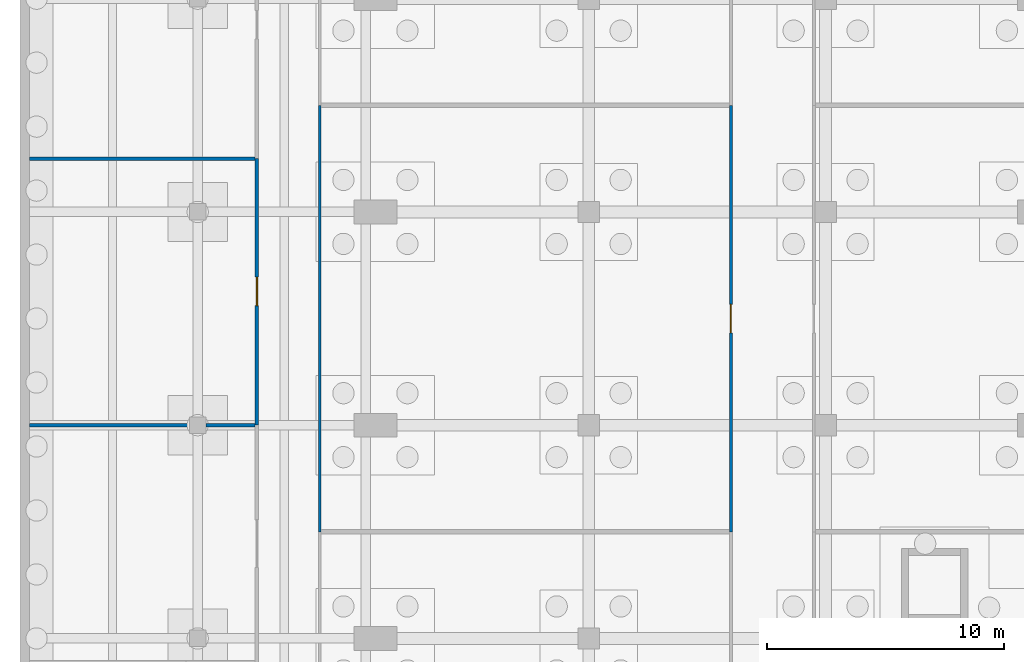
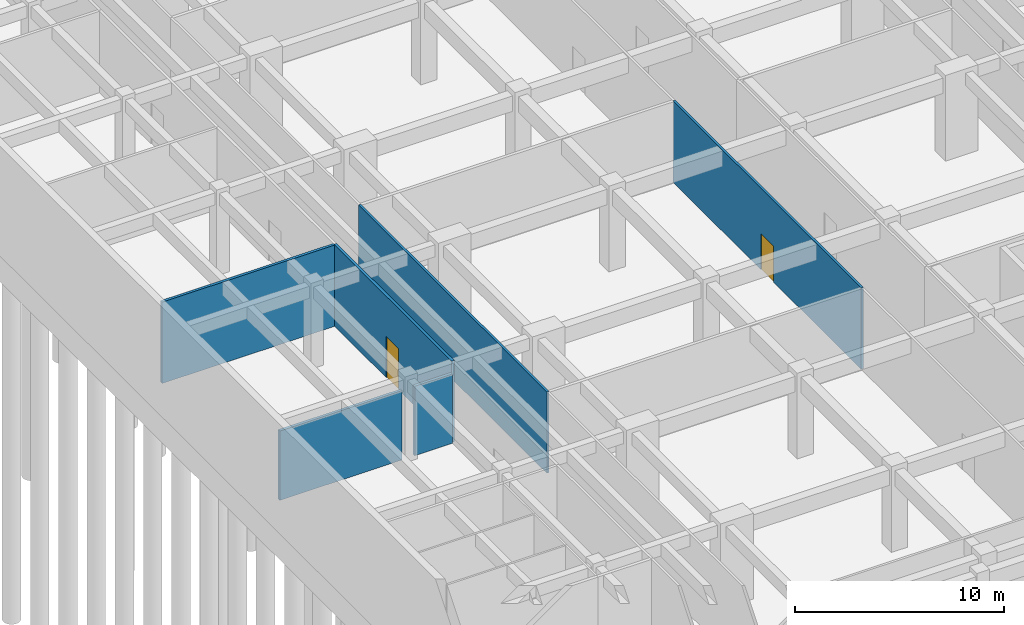
# One storey, part 10 of 19: 6 walls, 2 doors, 2 openings.
"""IFC4 building model written with IfcOpenShell, lengths in metres."""

import ifcopenshell
import ifcopenshell.guid

model = None  # the IFC model being written
_history = None  # IfcOwnerHistory: only IFC2X3 demands one
_inside = {}  # id of a spatial element -> (the spatial element, [elements in it])
_under = {}  # id of a project, library or spatial element -> (it, [spatial elements below it])
_declared = {}  # id of a project -> (the project, [libraries it declares])
_typed = {}  # id of a type object -> (the type object, [elements of that type])
_made_of = {}  # id of a material, layer set ... -> (it, [elements and type objects made of it])


def new_model(schema):
    """Start an empty IFC model of exactly this schema.

    Asked for "IFC4X3", IfcOpenShell would pick the latest addendum, in which some entities
    have other attributes; the version numbers below select the first issue.
    IFC2X3 requires an IfcOwnerHistory on every rooted entity: one is made here for all.
    """
    global model, _history
    if schema == "IFC4X3":
        model = ifcopenshell.file(schema_version=(4, 3, 0, 0))
    else:
        model = ifcopenshell.file(schema=schema)
    _inside.clear()
    _under.clear()
    _declared.clear()
    _typed.clear()
    _made_of.clear()
    _history = None
    if model.schema == "IFC2X3":
        org = make("IfcOrganization", Name="unknown")
        user = make(
            "IfcPersonAndOrganization",
            ThePerson=make("IfcPerson", FamilyName="unknown"),
            TheOrganization=org,
        )
        app = make(
            "IfcApplication",
            ApplicationDeveloper=org,
            Version="unknown",
            ApplicationFullName="unknown",
            ApplicationIdentifier="unknown",
        )
        _history = make(
            "IfcOwnerHistory",
            OwningUser=user,
            OwningApplication=app,
            ChangeAction="ADDED",
            CreationDate=0,
        )
    return model


def make(cls, **values):
    """One entity of the class cls with the attributes given. An attribute that is None is left unset."""
    return model.create_entity(
        cls, **{name: value for name, value in values.items() if value is not None}
    )


def rooted(cls, **values):
    """An entity with a GlobalId (a new one), such as an element, a storey or a relation."""
    return make(cls, GlobalId=ifcopenshell.guid.new(), OwnerHistory=_history, **values)


def si_unit(unit_type, name, prefix=None):
    """IfcSIUnit, for example si_unit("LENGTHUNIT", "METRE", prefix="MILLI")."""
    return make("IfcSIUnit", UnitType=unit_type, Prefix=prefix, Name=name)


def assignment(units):
    """IfcUnitAssignment: the units of a project."""
    return None if units is None else make("IfcUnitAssignment", Units=units)


def point(xyz):
    """IfcCartesianPoint."""
    return None if xyz is None else make("IfcCartesianPoint", Coordinates=xyz)


def direction(xyz):
    """IfcDirection."""
    return None if xyz is None else make("IfcDirection", DirectionRatios=xyz)


def frame(location, z_axis=None, x_axis=None):
    """IfcAxis2Placement3D, a coordinate frame: its origin and axes. An axis left out is left unset."""
    return make(
        "IfcAxis2Placement3D",
        Location=point(location),
        Axis=direction(z_axis),
        RefDirection=direction(x_axis),
    )


def frame_2d(location, x_axis=None):
    """IfcAxis2Placement2D, a coordinate frame in the plane: its origin and x axis."""
    return make(
        "IfcAxis2Placement2D", Location=point(location), RefDirection=direction(x_axis)
    )


def origin():
    """The frame at (0, 0, 0) with its axes left unset."""
    return frame((0.0, 0.0, 0.0))


def place(relative_to, where):
    """IfcLocalPlacement: puts the frame where relative to a parent placement (None: the world)."""
    return make(
        "IfcLocalPlacement", PlacementRelTo=relative_to, RelativePlacement=where
    )


def context(
    kind, dimensions, precision=None, world=None, true_north=None, identifier=None
):
    """IfcGeometricRepresentationContext, for example the 3D "Model" context."""
    return make(
        "IfcGeometricRepresentationContext",
        ContextIdentifier=identifier,
        ContextType=kind,
        CoordinateSpaceDimension=dimensions,
        Precision=precision,
        WorldCoordinateSystem=world,
        TrueNorth=true_north,
    )


def subcontext(parent, identifier, kind, view, scale=None):
    """IfcGeometricRepresentationSubContext, for example "Body" below "Model"."""
    return make(
        "IfcGeometricRepresentationSubContext",
        ContextIdentifier=identifier,
        ContextType=kind,
        ParentContext=parent,
        TargetScale=scale,
        TargetView=view,
    )


def project(units=None, contexts=None):
    """IfcProject with its units and contexts."""
    return rooted(
        "IfcProject",
        Name="project",
        RepresentationContexts=contexts,
        UnitsInContext=assignment(units),
    )


def spatial(cls, under=None, at=None, **own):
    """A site, building, storey or space (cls), placed at a placement, below another one or the project."""
    s = rooted(cls, ObjectPlacement=at, **own)
    if under is not None:
        _under.setdefault(under.id(), (under, []))[1].append(s)
    return s


def profile(cls, at=None, kind="AREA", **sizes):
    """A parametric profile (cls). Its sizes go by their IFC names, for example OverallWidth=200.0."""
    return make(cls, ProfileType=kind, Position=at, **sizes)


def rectangle(**sizes):
    """IfcRectangleProfileDef."""
    return profile("IfcRectangleProfileDef", **sizes)


def extrude(swept, where, along, depth):
    """IfcExtrudedAreaSolid: the profile swept, set in the frame where, extruded along a direction by depth."""
    return make(
        "IfcExtrudedAreaSolid",
        SweptArea=swept,
        Position=where,
        ExtrudedDirection=direction(along),
        Depth=depth,
    )


def shape(context_of_items, identifier, shape_type, items):
    """IfcShapeRepresentation: the items that make up one representation, for example the "Body"."""
    return make(
        "IfcShapeRepresentation",
        ContextOfItems=context_of_items,
        RepresentationIdentifier=identifier,
        RepresentationType=shape_type,
        Items=items,
    )


def material(Name=None, Category=None):
    """IfcMaterial."""
    return make("IfcMaterial", Name=Name, Category=Category)


def layer(
    of_material, thickness, ventilated=None, Name=None, Category=None, Priority=None
):
    """IfcMaterialLayer: one layer of a wall or slab, of a material (None: an air gap)."""
    return make(
        "IfcMaterialLayer",
        Material=of_material,
        LayerThickness=thickness,
        IsVentilated=ventilated,
        Name=Name,
        Category=Category,
        Priority=Priority,
    )


def layer_set(layers, Name=None):
    """IfcMaterialLayerSet."""
    return make("IfcMaterialLayerSet", MaterialLayers=layers, LayerSetName=Name)


def made_of(thing, what):
    """Note that an element or type object is made of a material, layer set ...; save() writes the relation."""
    if what is not None:
        _made_of.setdefault(what.id(), (what, []))[1].append(thing)
    return thing


def type_object(cls, material=None, **own):
    """A type object (cls), such as IfcWallType, which elements share."""
    return made_of(rooted(cls, **own), material)


def element(
    cls,
    number,
    at=None,
    inside=None,
    cuts=None,
    type_object=None,
    material=None,
    context=None,
    identifier="Body",
    shape_type=None,
    held_by="IfcProductDefinitionShape",
    body=None,
    shapes=None,
    **own,
):
    """One element of the class cls, such as IfcWall. Its Tag is "e" and its number.

    at: its placement. inside: the storey or other place that contains it. cuts: it is an
    opening in that element (IfcRelVoidsElement). A single representation is given by context,
    identifier, shape_type and body (its items); several are given by shapes. held_by: the class
    of the entity that holds the representations. save() writes the other relations.
    """
    e = rooted(cls, Tag="e%d" % number, ObjectPlacement=at, **own)
    if body is not None:
        shapes = [shape(context, identifier, shape_type, body)]
    if shapes is not None:
        e.Representation = make(held_by, Representations=shapes)
    if inside is not None:
        _inside.setdefault(inside.id(), (inside, []))[1].append(e)
    if cuts is not None:
        rooted(
            "IfcRelVoidsElement", RelatingBuildingElement=cuts, RelatedOpeningElement=e
        )
    if type_object is not None:
        _typed.setdefault(type_object.id(), (type_object, []))[1].append(e)
    return made_of(e, material)


def fill(opening, filler):
    """IfcRelFillsElement: the door or window that sits in an opening."""
    return rooted(
        "IfcRelFillsElement",
        RelatingOpeningElement=opening,
        RelatedBuildingElement=filler,
    )


def aggregate(whole, parts):
    """IfcRelAggregates: a whole, such as a stair, and the parts it consists of."""
    return rooted("IfcRelAggregates", RelatingObject=whole, RelatedObjects=parts)


def save(model, path):
    """Write the relations noted so far, then the file.

    IfcRelAggregates (storeys below a building ...), IfcRelContainedInSpatialStructure (elements
    in a storey), IfcRelDefinesByType, IfcRelAssociatesMaterial and IfcRelDeclares: one each for
    every whole, place, type object, material and project.
    """
    for whole, parts in _under.values():
        aggregate(whole, parts)
    for where, things in _inside.values():
        rooted(
            "IfcRelContainedInSpatialStructure",
            RelatedElements=things,
            RelatingStructure=where,
        )
    for kind, things in _typed.values():
        rooted("IfcRelDefinesByType", RelatedObjects=things, RelatingType=kind)
    for what, things in _made_of.values():
        rooted("IfcRelAssociatesMaterial", RelatedObjects=things, RelatingMaterial=what)
    for by, libraries in _declared.values():
        rooted("IfcRelDeclares", RelatingContext=by, RelatedDefinitions=libraries)
    model.write(path)


model = new_model("IFC4")

# Units and contexts
model_context = context("Model", 3, precision=1e-05, world=origin(), true_north=direction((0.0, 1.0)))
body_context = subcontext(model_context, "Body", "Model", "MODEL_VIEW")
ifc_project = project(units=[si_unit("LENGTHUNIT", "METRE"), si_unit("AREAUNIT", "SQUARE_METRE"), si_unit("VOLUMEUNIT", "CUBIC_METRE"), si_unit("PLANEANGLEUNIT", "RADIAN"), si_unit("MASSUNIT", "GRAM", prefix="KILO")], contexts=[model_context])

# Site, building, storey
site_placement = place(None, origin())
site = spatial("IfcSite", under=ifc_project, at=site_placement, CompositionType="ELEMENT")
building_placement = place(site_placement, origin())
building = spatial("IfcBuilding", under=site, at=building_placement, Name="Elmora Arch Market Hall", CompositionType="ELEMENT")
storey_placement = place(building_placement, frame((0.0, 0.0, -10.0)))
storey = spatial("IfcBuildingStorey", under=building, at=storey_placement, Name="B1", CompositionType="ELEMENT", Elevation=-10.0)

# Walls
ifc_material_1 = material(Name="Blockwork", Category="masonry")
ifc_layer_1 = layer(ifc_material_1, 0.14990234375)
ifc_layer_set_1 = layer_set([ifc_layer_1], Name="Blockwork")
wall_type_1 = type_object("IfcWallType", Name="Blockwork partition 150 EI 120", PredefinedType="PARTITIONING", material=ifc_layer_set_1)
wall_1_placement = place(storey_placement, frame((0.39990234375, 54.0, 0.0), z_axis=(0.0, 0.0, 1.0), x_axis=(1.0, 0.0, 0.0)))
element("IfcWall", 1, at=wall_1_placement, inside=storey, type_object=wall_type_1, Name="Partition PT-B1-028-28", PredefinedType="PARTITIONING", context=body_context, shape_type="SweptSolid", body=[
    extrude(rectangle(XDim=6.75, YDim=0.14990234375, at=frame_2d((3.375, 0.0))), origin(), (0.0, 0.0, 1.0), 4.050048828125),
])
wall_2_placement = place(storey_placement, frame((7.85009765625, 54.0, 0.0), z_axis=(0.0, 0.0, 1.0), x_axis=(1.0, 0.0, 0.0)))
element("IfcWall", 2, at=wall_2_placement, inside=storey, type_object=wall_type_1, Name="Partition PT-B1-028-29", PredefinedType="PARTITIONING", context=body_context, shape_type="SweptSolid", body=[
    extrude(rectangle(XDim=2.074951171875, YDim=0.14990234375, at=frame_2d((1.03759765625, 0.0))), origin(), (0.0, 0.0, 1.0), 4.050048828125),
])
ifc_material_2 = material(Name="Insulated metal panel")
ifc_layer_2 = layer(ifc_material_2, 0.14990234375)
ifc_layer_set_2 = layer_set([ifc_layer_2], Name="Insulated metal panel")
wall_type_2 = type_object("IfcWallType", Name="Cold store panel 150 EI 60", PredefinedType="PARTITIONING", material=ifc_layer_set_2)
wall_3_placement = place(storey_placement, frame((0.39990234375, 65.25, 0.0), z_axis=(0.0, 0.0, 1.0), x_axis=(1.0, 0.0, 0.0)))
element("IfcWall", 3, at=wall_3_placement, inside=storey, type_object=wall_type_2, Name="Partition PT-B1-030", PredefinedType="PARTITIONING", context=body_context, shape_type="SweptSolid", body=[
    extrude(rectangle(XDim=9.525146484375, YDim=0.14990234375, at=frame_2d((4.7626953125, 0.0))), origin(), (0.0, 0.0, 1.0), 4.75),
])

# Wall, opening, door
wall_4_placement = place(storey_placement, frame((10.0, 54.0, 0.0), z_axis=(0.0, 0.0, 1.0), x_axis=(0.0, 1.0, 0.0)))
wall_4 = element("IfcWall", 4, at=wall_4_placement, inside=storey, type_object=wall_type_2, Name="Partition PT-B1-071", PredefinedType="PARTITIONING", context=body_context, shape_type="SweptSolid", body=[
    extrude(rectangle(XDim=11.25, YDim=0.14990234375, at=frame_2d((5.625, 0.0))), origin(), (0.0, 0.0, 1.0), 4.75),
])
opening_1_placement = place(wall_4_placement, frame((5.050048828125, 0.0, 0.0)))
opening_1 = element("IfcOpeningElement", 5, at=opening_1_placement, cuts=wall_4, Name="Opening D-B1-020", PredefinedType="OPENING", context=body_context, shape_type="SweptSolid", body=[
    extrude(rectangle(XDim=1.199951171875, YDim=2.39990234375, at=frame_2d((0.60009765625, 1.199951171875))), frame((0.0, 0.0849609375, 0.0), z_axis=(0.0, -1.0, 0.0), x_axis=(1.0, 0.0, 0.0)), (0.0, 0.0, 1.0), 0.169921875),
])
ifc_material_3 = material(Name="Insulated door panel")
door_type_1 = type_object("IfcDoorType", Name="Cold store door 1200 x 2400 FD45", OperationType="SLIDING_TO_LEFT", PredefinedType="DOOR", material=ifc_material_3)
door_1_placement = place(opening_1_placement, origin())
door_1 = element("IfcDoor", 6, at=door_1_placement, inside=storey, type_object=door_type_1, Name="D-B1-020", OperationType="SLIDING_TO_LEFT", OverallHeight=2.39990234375, OverallWidth=1.199951171875, PredefinedType="DOOR", context=body_context, shape_type="SweptSolid", body=[
    extrude(rectangle(XDim=1.199951171875, YDim=2.39990234375, at=frame_2d((0.60009765625, 1.199951171875))), frame((0.0, 0.02490234375, 0.0), z_axis=(0.0, -1.0, 0.0), x_axis=(1.0, 0.0, 0.0)), (0.0, 0.0, 1.0), 0.050048828125),
])
fill(opening_1, door_1)

# Wall
ifc_material_4 = material(Name="Gypsum board on metal studs")
ifc_layer_3 = layer(ifc_material_4, 0.125)
ifc_layer_set_3 = layer_set([ifc_layer_3], Name="Gypsum board on metal studs")
wall_type_3 = type_object("IfcWallType", Name="Partition 125 EI 60", PredefinedType="PARTITIONING", material=ifc_layer_set_3)
wall_5_placement = place(storey_placement, frame((12.64990234375, 49.5, 0.0), z_axis=(0.0, 0.0, 1.0), x_axis=(0.0, 1.0, 0.0)))
element("IfcWall", 7, at=wall_5_placement, inside=storey, type_object=wall_type_3, Name="Partition PT-B1-078", PredefinedType="PARTITIONING", context=body_context, shape_type="SweptSolid", body=[
    extrude(rectangle(XDim=18.0, YDim=0.125, at=frame_2d((9.0, 0.0))), origin(), (0.0, 0.0, 1.0), 4.75),
])

# Wall, opening, door
wall_6_placement = place(storey_placement, frame((30.0, 49.5, 0.0), z_axis=(0.0, 0.0, 1.0), x_axis=(0.0, 1.0, 0.0)))
wall_6 = element("IfcWall", 8, at=wall_6_placement, inside=storey, type_object=wall_type_3, Name="Partition PT-B1-085", PredefinedType="PARTITIONING", context=body_context, shape_type="SweptSolid", body=[
    extrude(rectangle(XDim=18.0, YDim=0.125, at=frame_2d((9.0, 0.0))), origin(), (0.0, 0.0, 1.0), 4.75),
])
opening_2_placement = place(wall_6_placement, frame((8.39990234375, 0.0, 0.0)))
opening_2 = element("IfcOpeningElement", 9, at=opening_2_placement, cuts=wall_6, Name="Opening D-B1-018", PredefinedType="OPENING", context=body_context, shape_type="SweptSolid", body=[
    extrude(rectangle(XDim=1.199951171875, YDim=2.10009765625, at=frame_2d((0.60009765625, 1.050048828125))), frame((0.0, 0.072509765625, 0.0), z_axis=(0.0, -1.0, 0.0), x_axis=(1.0, 0.0, 0.0)), (0.0, 0.0, 1.0), 0.14501953125),
])
ifc_material_5 = material(Name="Steel ASTM A653 galvanised", Category="steel")
door_type_2 = type_object("IfcDoorType", Name="Door 1200 x 2100 FD45", OperationType="SINGLE_SWING_LEFT", PredefinedType="DOOR", material=ifc_material_5)
door_2_placement = place(opening_2_placement, origin())
door_2 = element("IfcDoor", 10, at=door_2_placement, inside=storey, type_object=door_type_2, Name="D-B1-018", OperationType="SINGLE_SWING_LEFT", OverallHeight=2.10009765625, OverallWidth=1.199951171875, PredefinedType="DOOR", context=body_context, shape_type="SweptSolid", body=[
    extrude(rectangle(XDim=1.199951171875, YDim=2.10009765625, at=frame_2d((0.60009765625, 1.050048828125))), frame((0.0, 0.02490234375, 0.0), z_axis=(0.0, -1.0, 0.0), x_axis=(1.0, 0.0, 0.0)), (0.0, 0.0, 1.0), 0.050048828125),
])
fill(opening_2, door_2)

save(model, "model.ifc")
